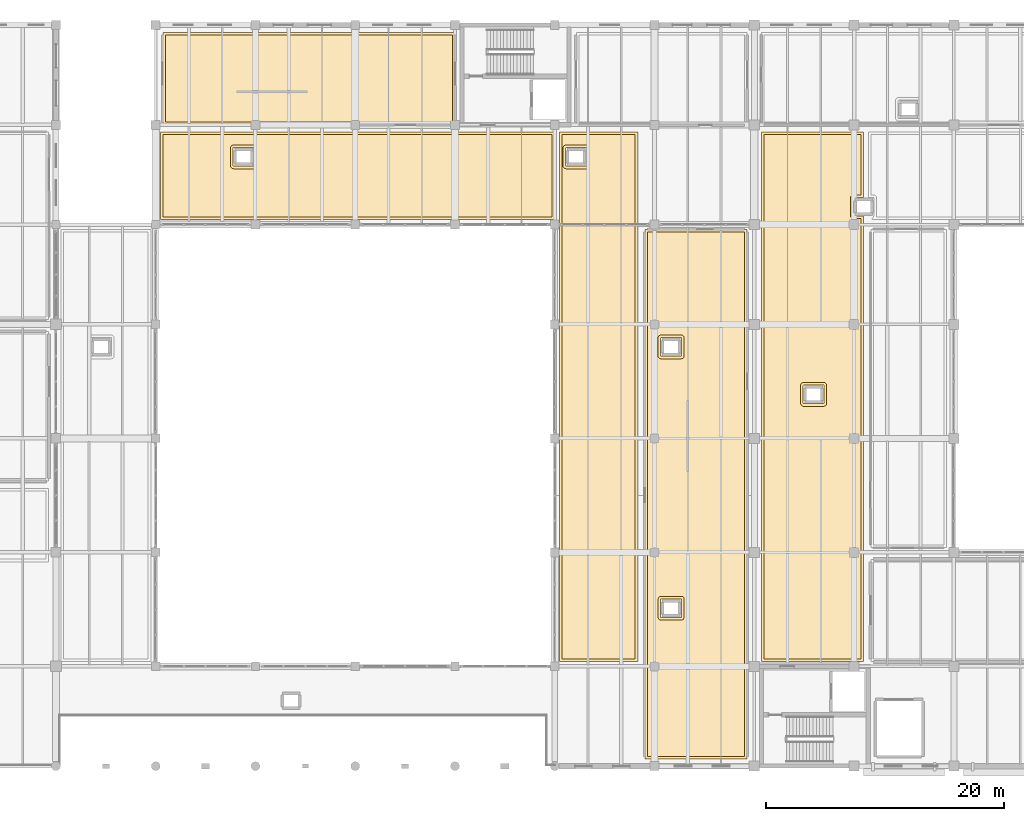
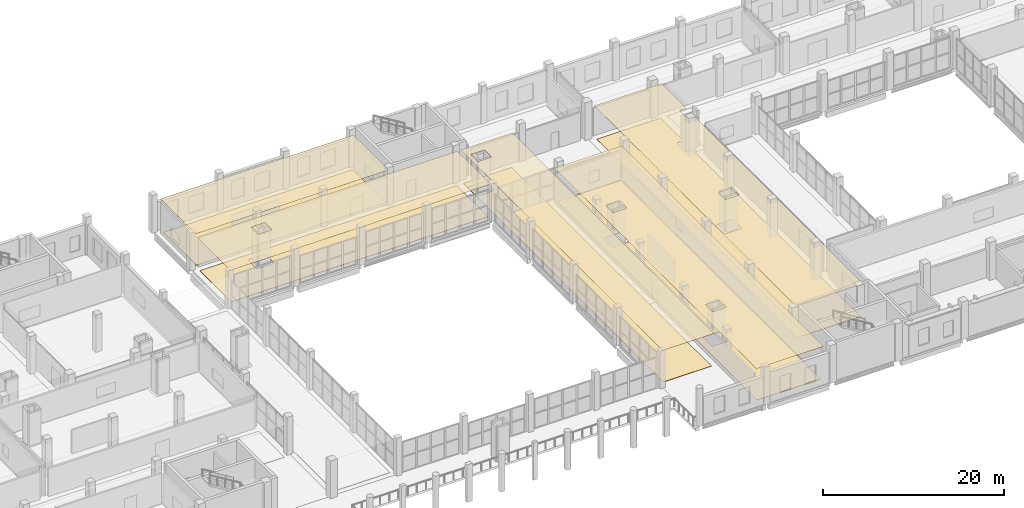
# One storey, part 63 of 66: 10 coverings.
"""IFC4 building model written with IfcOpenShell, lengths in metres."""

import ifcopenshell
import ifcopenshell.guid

model = None  # the IFC model being written
_history = None  # IfcOwnerHistory: only IFC2X3 demands one
_inside = {}  # id of a spatial element -> (the spatial element, [elements in it])
_under = {}  # id of a project, library or spatial element -> (it, [spatial elements below it])
_declared = {}  # id of a project -> (the project, [libraries it declares])
_typed = {}  # id of a type object -> (the type object, [elements of that type])
_made_of = {}  # id of a material, layer set ... -> (it, [elements and type objects made of it])


def new_model(schema):
    """Start an empty IFC model of exactly this schema.

    Asked for "IFC4X3", IfcOpenShell would pick the latest addendum, in which some entities
    have other attributes; the version numbers below select the first issue.
    IFC2X3 requires an IfcOwnerHistory on every rooted entity: one is made here for all.
    """
    global model, _history
    if schema == "IFC4X3":
        model = ifcopenshell.file(schema_version=(4, 3, 0, 0))
    else:
        model = ifcopenshell.file(schema=schema)
    _inside.clear()
    _under.clear()
    _declared.clear()
    _typed.clear()
    _made_of.clear()
    _history = None
    if model.schema == "IFC2X3":
        org = make("IfcOrganization", Name="unknown")
        user = make(
            "IfcPersonAndOrganization",
            ThePerson=make("IfcPerson", FamilyName="unknown"),
            TheOrganization=org,
        )
        app = make(
            "IfcApplication",
            ApplicationDeveloper=org,
            Version="unknown",
            ApplicationFullName="unknown",
            ApplicationIdentifier="unknown",
        )
        _history = make(
            "IfcOwnerHistory",
            OwningUser=user,
            OwningApplication=app,
            ChangeAction="ADDED",
            CreationDate=0,
        )
    return model


def make(cls, **values):
    """One entity of the class cls with the attributes given. An attribute that is None is left unset."""
    return model.create_entity(
        cls, **{name: value for name, value in values.items() if value is not None}
    )


def rooted(cls, **values):
    """An entity with a GlobalId (a new one), such as an element, a storey or a relation."""
    return make(cls, GlobalId=ifcopenshell.guid.new(), OwnerHistory=_history, **values)


def si_unit(unit_type, name, prefix=None):
    """IfcSIUnit, for example si_unit("LENGTHUNIT", "METRE", prefix="MILLI")."""
    return make("IfcSIUnit", UnitType=unit_type, Prefix=prefix, Name=name)


def assignment(units):
    """IfcUnitAssignment: the units of a project."""
    return None if units is None else make("IfcUnitAssignment", Units=units)


def point(xyz):
    """IfcCartesianPoint."""
    return None if xyz is None else make("IfcCartesianPoint", Coordinates=xyz)


def direction(xyz):
    """IfcDirection."""
    return None if xyz is None else make("IfcDirection", DirectionRatios=xyz)


def frame(location, z_axis=None, x_axis=None):
    """IfcAxis2Placement3D, a coordinate frame: its origin and axes. An axis left out is left unset."""
    return make(
        "IfcAxis2Placement3D",
        Location=point(location),
        Axis=direction(z_axis),
        RefDirection=direction(x_axis),
    )


def origin():
    """The frame at (0, 0, 0) with its axes left unset."""
    return frame((0.0, 0.0, 0.0))


def place(relative_to, where):
    """IfcLocalPlacement: puts the frame where relative to a parent placement (None: the world)."""
    return make(
        "IfcLocalPlacement", PlacementRelTo=relative_to, RelativePlacement=where
    )


def context(
    kind, dimensions, precision=None, world=None, true_north=None, identifier=None
):
    """IfcGeometricRepresentationContext, for example the 3D "Model" context."""
    return make(
        "IfcGeometricRepresentationContext",
        ContextIdentifier=identifier,
        ContextType=kind,
        CoordinateSpaceDimension=dimensions,
        Precision=precision,
        WorldCoordinateSystem=world,
        TrueNorth=true_north,
    )


def subcontext(parent, identifier, kind, view, scale=None):
    """IfcGeometricRepresentationSubContext, for example "Body" below "Model"."""
    return make(
        "IfcGeometricRepresentationSubContext",
        ContextIdentifier=identifier,
        ContextType=kind,
        ParentContext=parent,
        TargetScale=scale,
        TargetView=view,
    )


def project(units=None, contexts=None):
    """IfcProject with its units and contexts."""
    return rooted(
        "IfcProject",
        Name="project",
        RepresentationContexts=contexts,
        UnitsInContext=assignment(units),
    )


def spatial(cls, under=None, at=None, **own):
    """A site, building, storey or space (cls), placed at a placement, below another one or the project."""
    s = rooted(cls, ObjectPlacement=at, **own)
    if under is not None:
        _under.setdefault(under.id(), (under, []))[1].append(s)
    return s


def polyline(points):
    """IfcPolyline through the points."""
    return make("IfcPolyline", Points=[point(p) for p in points])


def outline(outer, holes=None, kind="AREA"):
    """IfcArbitraryClosedProfileDef: a profile drawn as a closed curve; with holes, ...WithVoids."""
    if holes is None:
        return make("IfcArbitraryClosedProfileDef", ProfileType=kind, OuterCurve=outer)
    return make(
        "IfcArbitraryProfileDefWithVoids",
        ProfileType=kind,
        OuterCurve=outer,
        InnerCurves=holes,
    )


def extrude(swept, where, along, depth):
    """IfcExtrudedAreaSolid: the profile swept, set in the frame where, extruded along a direction by depth."""
    return make(
        "IfcExtrudedAreaSolid",
        SweptArea=swept,
        Position=where,
        ExtrudedDirection=direction(along),
        Depth=depth,
    )


def shape(context_of_items, identifier, shape_type, items):
    """IfcShapeRepresentation: the items that make up one representation, for example the "Body"."""
    return make(
        "IfcShapeRepresentation",
        ContextOfItems=context_of_items,
        RepresentationIdentifier=identifier,
        RepresentationType=shape_type,
        Items=items,
    )


def material(Name=None, Category=None):
    """IfcMaterial."""
    return make("IfcMaterial", Name=Name, Category=Category)


def layer(
    of_material, thickness, ventilated=None, Name=None, Category=None, Priority=None
):
    """IfcMaterialLayer: one layer of a wall or slab, of a material (None: an air gap)."""
    return make(
        "IfcMaterialLayer",
        Material=of_material,
        LayerThickness=thickness,
        IsVentilated=ventilated,
        Name=Name,
        Category=Category,
        Priority=Priority,
    )


def layer_set(layers, Name=None):
    """IfcMaterialLayerSet."""
    return make("IfcMaterialLayerSet", MaterialLayers=layers, LayerSetName=Name)


def made_of(thing, what):
    """Note that an element or type object is made of a material, layer set ...; save() writes the relation."""
    if what is not None:
        _made_of.setdefault(what.id(), (what, []))[1].append(thing)
    return thing


def type_object(cls, material=None, **own):
    """A type object (cls), such as IfcWallType, which elements share."""
    return made_of(rooted(cls, **own), material)


def element(
    cls,
    number,
    at=None,
    inside=None,
    cuts=None,
    type_object=None,
    material=None,
    context=None,
    identifier="Body",
    shape_type=None,
    held_by="IfcProductDefinitionShape",
    body=None,
    shapes=None,
    **own,
):
    """One element of the class cls, such as IfcWall. Its Tag is "e" and its number.

    at: its placement. inside: the storey or other place that contains it. cuts: it is an
    opening in that element (IfcRelVoidsElement). A single representation is given by context,
    identifier, shape_type and body (its items); several are given by shapes. held_by: the class
    of the entity that holds the representations. save() writes the other relations.
    """
    e = rooted(cls, Tag="e%d" % number, ObjectPlacement=at, **own)
    if body is not None:
        shapes = [shape(context, identifier, shape_type, body)]
    if shapes is not None:
        e.Representation = make(held_by, Representations=shapes)
    if inside is not None:
        _inside.setdefault(inside.id(), (inside, []))[1].append(e)
    if cuts is not None:
        rooted(
            "IfcRelVoidsElement", RelatingBuildingElement=cuts, RelatedOpeningElement=e
        )
    if type_object is not None:
        _typed.setdefault(type_object.id(), (type_object, []))[1].append(e)
    return made_of(e, material)


def aggregate(whole, parts):
    """IfcRelAggregates: a whole, such as a stair, and the parts it consists of."""
    return rooted("IfcRelAggregates", RelatingObject=whole, RelatedObjects=parts)


def save(model, path):
    """Write the relations noted so far, then the file.

    IfcRelAggregates (storeys below a building ...), IfcRelContainedInSpatialStructure (elements
    in a storey), IfcRelDefinesByType, IfcRelAssociatesMaterial and IfcRelDeclares: one each for
    every whole, place, type object, material and project.
    """
    for whole, parts in _under.values():
        aggregate(whole, parts)
    for where, things in _inside.values():
        rooted(
            "IfcRelContainedInSpatialStructure",
            RelatedElements=things,
            RelatingStructure=where,
        )
    for kind, things in _typed.values():
        rooted("IfcRelDefinesByType", RelatedObjects=things, RelatingType=kind)
    for what, things in _made_of.values():
        rooted("IfcRelAssociatesMaterial", RelatedObjects=things, RelatingMaterial=what)
    for by, libraries in _declared.values():
        rooted("IfcRelDeclares", RelatingContext=by, RelatedDefinitions=libraries)
    model.write(path)


model = new_model("IFC4")

# Units and contexts
model_context = context("Model", 3, precision=1e-05, world=origin(), true_north=direction((0.0, 1.0)))
body_context = subcontext(model_context, "Body", "Model", "MODEL_VIEW")
ifc_project = project(units=[si_unit("LENGTHUNIT", "METRE"), si_unit("AREAUNIT", "SQUARE_METRE"), si_unit("VOLUMEUNIT", "CUBIC_METRE"), si_unit("PLANEANGLEUNIT", "RADIAN"), si_unit("MASSUNIT", "GRAM", prefix="KILO")], contexts=[model_context])

# Site, building, storey
site_placement = place(None, origin())
site = spatial("IfcSite", under=ifc_project, at=site_placement, CompositionType="ELEMENT")
building_placement = place(site_placement, origin())
building = spatial("IfcBuilding", under=site, at=building_placement, Name="Zulmaris Art Gallery", CompositionType="ELEMENT")
storey_placement = place(building_placement, frame((0.0, 0.0, 5.39990234375)))
storey = spatial("IfcBuildingStorey", under=building, at=storey_placement, Name="L01", CompositionType="ELEMENT", Elevation=5.39990234375)

# Coverings
ifc_material_1 = material(Name="Micro-Perforated Gypsum Acoustic Ceiling", Category="gypsum")
ifc_layer_1 = layer(ifc_material_1, 0.02490234375)
ifc_layer_set_1 = layer_set([ifc_layer_1], Name="Micro-Perforated Gypsum Acoustic Ceiling")
covering_type_1 = type_object("IfcCoveringType", Name="COV-CL01", PredefinedType="CEILING", material=ifc_layer_set_1)
covering_1_placement = place(storey_placement, frame((0.0, 0.0, 4.4501953125)))
element("IfcCovering", 1, at=covering_1_placement, inside=storey, type_object=covering_type_1, Name="L01 V4 North Concourse acoustic ceiling", PredefinedType="CEILING", context=body_context, shape_type="SweptSolid", body=[
    extrude(outline(polyline([(91.610107421875, 66.590087890625), (124.7900390625, 66.590087890625), (124.7900390625, 59.2099609375), (91.610107421875, 59.2099609375), (91.610107421875, 66.590087890625)]), holes=[polyline([(97.741455078125, 65.278564453125), (97.738525390625, 65.277587890625), (97.736083984375, 65.276123046875), (97.7333984375, 65.274658203125), (97.731201171875, 65.27294921875), (97.72900390625, 65.27099609375), (97.72705078125, 65.268798828125), (97.725341796875, 65.2666015625), (97.723876953125, 65.263916015625), (97.722412109375, 65.261474609375), (97.721435546875, 65.258544921875), (97.720703125, 65.255859375), (97.720458984375, 65.2529296875), (97.719970703125, 65.24462890625), (97.719970703125, 63.75537109375), (97.720458984375, 63.7470703125), (97.720703125, 63.744140625), (97.721435546875, 63.741455078125), (97.722412109375, 63.738525390625), (97.723876953125, 63.736083984375), (97.725341796875, 63.7333984375), (97.72705078125, 63.731201171875), (97.72900390625, 63.72900390625), (97.731201171875, 63.72705078125), (97.7333984375, 63.725341796875), (97.736083984375, 63.723876953125), (97.738525390625, 63.722412109375), (97.741455078125, 63.721435546875), (97.744140625, 63.720703125), (97.7470703125, 63.720458984375), (97.75537109375, 63.719970703125), (99.444580078125, 63.719970703125), (99.452880859375, 63.720458984375), (99.455810546875, 63.720703125), (99.45849609375, 63.721435546875), (99.46142578125, 63.722412109375), (99.464111328125, 63.723876953125), (99.466552734375, 63.725341796875), (99.468994140625, 63.72705078125), (99.470947265625, 63.72900390625), (99.472900390625, 63.731201171875), (99.474609375, 63.7333984375), (99.476318359375, 63.736083984375), (99.4775390625, 63.738525390625), (99.478515625, 63.741455078125), (99.479248046875, 63.744140625), (99.4794921875, 63.7470703125), (99.47998046875, 63.75537109375), (99.47998046875, 65.24462890625), (99.4794921875, 65.2529296875), (99.479248046875, 65.255859375), (99.478515625, 65.258544921875), (99.4775390625, 65.261474609375), (99.476318359375, 65.263916015625), (99.474609375, 65.2666015625), (99.472900390625, 65.268798828125), (99.470947265625, 65.27099609375), (99.468994140625, 65.27294921875), (99.466552734375, 65.274658203125), (99.464111328125, 65.276123046875), (99.46142578125, 65.277587890625), (99.45849609375, 65.278564453125), (99.455810546875, 65.279296875), (99.452880859375, 65.279541015625), (99.444580078125, 65.280029296875), (97.75537109375, 65.280029296875), (97.7470703125, 65.279541015625), (97.744140625, 65.279296875), (97.741455078125, 65.278564453125)])]), origin(), (0.0, 0.0, 1.0), 0.02978515625),
])
covering_2_placement = place(storey_placement, frame((0.0, 0.0, 4.4501953125)))
element("IfcCovering", 2, at=covering_2_placement, inside=storey, type_object=covering_type_1, Name="L01 East Gallery Concourse acoustic ceiling", PredefinedType="CEILING", context=body_context, shape_type="SweptSolid", body=[
    extrude(outline(polyline([(125.2099609375, 66.590087890625), (131.7900390625, 66.590087890625), (131.7900390625, 22.010009765625), (125.2099609375, 22.010009765625), (125.2099609375, 66.590087890625)]), holes=[polyline([(125.741455078125, 65.278564453125), (125.738525390625, 65.277587890625), (125.736083984375, 65.276123046875), (125.7333984375, 65.274658203125), (125.731201171875, 65.27294921875), (125.72900390625, 65.27099609375), (125.72705078125, 65.268798828125), (125.725341796875, 65.2666015625), (125.723876953125, 65.263916015625), (125.722412109375, 65.261474609375), (125.721435546875, 65.258544921875), (125.720703125, 65.255859375), (125.720458984375, 65.2529296875), (125.719970703125, 65.24462890625), (125.719970703125, 63.75537109375), (125.720458984375, 63.7470703125), (125.720703125, 63.744140625), (125.721435546875, 63.741455078125), (125.722412109375, 63.738525390625), (125.723876953125, 63.736083984375), (125.725341796875, 63.7333984375), (125.72705078125, 63.731201171875), (125.72900390625, 63.72900390625), (125.731201171875, 63.72705078125), (125.7333984375, 63.725341796875), (125.736083984375, 63.723876953125), (125.738525390625, 63.722412109375), (125.741455078125, 63.721435546875), (125.744140625, 63.720703125), (125.7470703125, 63.720458984375), (125.75537109375, 63.719970703125), (127.444580078125, 63.719970703125), (127.452880859375, 63.720458984375), (127.455810546875, 63.720703125), (127.45849609375, 63.721435546875), (127.46142578125, 63.722412109375), (127.464111328125, 63.723876953125), (127.466552734375, 63.725341796875), (127.468994140625, 63.72705078125), (127.470947265625, 63.72900390625), (127.472900390625, 63.731201171875), (127.474609375, 63.7333984375), (127.476318359375, 63.736083984375), (127.4775390625, 63.738525390625), (127.478515625, 63.741455078125), (127.479248046875, 63.744140625), (127.4794921875, 63.7470703125), (127.47998046875, 63.75537109375), (127.47998046875, 65.24462890625), (127.4794921875, 65.2529296875), (127.479248046875, 65.255859375), (127.478515625, 65.258544921875), (127.4775390625, 65.261474609375), (127.476318359375, 65.263916015625), (127.474609375, 65.2666015625), (127.472900390625, 65.268798828125), (127.470947265625, 65.27099609375), (127.468994140625, 65.27294921875), (127.466552734375, 65.274658203125), (127.464111328125, 65.276123046875), (127.46142578125, 65.277587890625), (127.45849609375, 65.278564453125), (127.455810546875, 65.279296875), (127.452880859375, 65.279541015625), (127.444580078125, 65.280029296875), (125.75537109375, 65.280029296875), (125.7470703125, 65.279541015625), (125.744140625, 65.279296875), (125.741455078125, 65.278564453125)])]), origin(), (0.0, 0.0, 1.0), 0.02978515625),
])
covering_3_placement = place(storey_placement, frame((0.0, 0.0, 4.4501953125)))
element("IfcCovering", 3, at=covering_3_placement, inside=storey, type_object=covering_type_1, Name="L01 V5 West Art Store Corridor acoustic ceiling", PredefinedType="CEILING", context=body_context, shape_type="SweptSolid", body=[
    extrude(outline(polyline([(149.955322265625, 61.080078125), (149.947021484375, 61.07958984375), (149.944091796875, 61.0791015625), (149.94140625, 61.07861328125), (149.938720703125, 61.077392578125), (149.93603515625, 61.076171875), (149.93359375, 61.07470703125), (149.93115234375, 61.072998046875), (149.928955078125, 61.071044921875), (149.927001953125, 61.06884765625), (149.92529296875, 61.06640625), (149.923828125, 61.06396484375), (149.922607421875, 61.061279296875), (149.92138671875, 61.05859375), (149.9208984375, 61.055908203125), (149.92041015625, 61.052978515625), (149.919921875, 61.044677734375), (149.919921875, 59.555419921875), (149.92041015625, 59.547119140625), (149.9208984375, 59.544189453125), (149.92138671875, 59.54150390625), (149.922607421875, 59.53857421875), (149.923828125, 59.535888671875), (149.92529296875, 59.533447265625), (149.927001953125, 59.531005859375), (149.928955078125, 59.529052734375), (149.93115234375, 59.527099609375), (149.93359375, 59.525390625), (149.93603515625, 59.523681640625), (149.938720703125, 59.5224609375), (149.94140625, 59.521484375), (149.944091796875, 59.520751953125), (149.947021484375, 59.5205078125), (149.955322265625, 59.52001953125), (150.7900390625, 59.52001953125), (150.7900390625, 22.010009765625), (142.2099609375, 22.010009765625), (142.2099609375, 66.590087890625), (150.7900390625, 66.590087890625), (150.7900390625, 61.080078125), (149.955322265625, 61.080078125)]), holes=[polyline([(145.741455078125, 45.278564453125), (145.738525390625, 45.277587890625), (145.736083984375, 45.276123046875), (145.7333984375, 45.274658203125), (145.731201171875, 45.27294921875), (145.72900390625, 45.27099609375), (145.72705078125, 45.268798828125), (145.725341796875, 45.2666015625), (145.723876953125, 45.263916015625), (145.722412109375, 45.261474609375), (145.721435546875, 45.258544921875), (145.720703125, 45.255859375), (145.720458984375, 45.2529296875), (145.719970703125, 45.24462890625), (145.719970703125, 43.75537109375), (145.720458984375, 43.7470703125), (145.720703125, 43.744140625), (145.721435546875, 43.741455078125), (145.722412109375, 43.738525390625), (145.723876953125, 43.736083984375), (145.725341796875, 43.7333984375), (145.72705078125, 43.731201171875), (145.72900390625, 43.72900390625), (145.731201171875, 43.72705078125), (145.7333984375, 43.725341796875), (145.736083984375, 43.723876953125), (145.738525390625, 43.722412109375), (145.741455078125, 43.721435546875), (145.744140625, 43.720703125), (145.7470703125, 43.720458984375), (145.75537109375, 43.719970703125), (147.444580078125, 43.719970703125), (147.452880859375, 43.720458984375), (147.455810546875, 43.720703125), (147.45849609375, 43.721435546875), (147.46142578125, 43.722412109375), (147.464111328125, 43.723876953125), (147.466552734375, 43.725341796875), (147.468994140625, 43.72705078125), (147.470947265625, 43.72900390625), (147.472900390625, 43.731201171875), (147.474609375, 43.7333984375), (147.476318359375, 43.736083984375), (147.4775390625, 43.738525390625), (147.478515625, 43.741455078125), (147.479248046875, 43.744140625), (147.4794921875, 43.7470703125), (147.47998046875, 43.75537109375), (147.47998046875, 45.24462890625), (147.4794921875, 45.2529296875), (147.479248046875, 45.255859375), (147.478515625, 45.258544921875), (147.4775390625, 45.261474609375), (147.476318359375, 45.263916015625), (147.474609375, 45.2666015625), (147.472900390625, 45.268798828125), (147.470947265625, 45.27099609375), (147.468994140625, 45.27294921875), (147.466552734375, 45.274658203125), (147.464111328125, 45.276123046875), (147.46142578125, 45.277587890625), (147.45849609375, 45.278564453125), (147.455810546875, 45.279296875), (147.452880859375, 45.279541015625), (147.444580078125, 45.280029296875), (145.75537109375, 45.280029296875), (145.7470703125, 45.279541015625), (145.744140625, 45.279296875), (145.741455078125, 45.278564453125)])]), origin(), (0.0, 0.0, 1.0), 0.02978515625),
])
ifc_material_2 = material(Name="Luminous UV-Diffusing Stretched Gallery Ceiling", Category="gypsum")
ifc_layer_2 = layer(ifc_material_2, 0.034912109375)
ifc_layer_set_2 = layer_set([ifc_layer_2], Name="Luminous UV-Diffusing Stretched Gallery Ceiling")
covering_type_2 = type_object("IfcCoveringType", Name="COV-CL02", PredefinedType="CEILING", material=ifc_layer_set_2)
covering_4_placement = place(storey_placement, frame((0.0, 0.0, 4.4501953125)))
element("IfcCovering", 4, at=covering_4_placement, inside=storey, type_object=covering_type_2, Name="20th-Century Ceramics & Glass Gallery acoustic ceiling", PredefinedType="CEILING", context=body_context, shape_type="SweptSolid", body=[
    extrude(outline(polyline([(91.81005859375, 74.989990234375), (116.389892578125, 74.989990234375), (116.389892578125, 67.2099609375), (91.81005859375, 67.2099609375), (91.81005859375, 74.989990234375)])), origin(), (0.0, 0.0, 1.0), 0.02978515625),
])
covering_5_placement = place(storey_placement, frame((0.0, 0.0, 4.4501953125)))
element("IfcCovering", 5, at=covering_5_placement, inside=storey, type_object=covering_type_2, Name="Indian Ocean Trade Exchange Gallery acoustic ceiling", PredefinedType="CEILING", context=body_context, shape_type="SweptSolid", body=[
    extrude(outline(polyline([(132.409912109375, 58.389892578125), (140.989990234375, 58.389892578125), (140.989990234375, 13.81005859375), (132.409912109375, 13.81005859375), (132.409912109375, 58.389892578125)]), holes=[polyline([(133.721435546875, 25.741455078125), (133.722412109375, 25.738525390625), (133.723876953125, 25.736083984375), (133.725341796875, 25.7333984375), (133.72705078125, 25.731201171875), (133.72900390625, 25.72900390625), (133.731201171875, 25.72705078125), (133.7333984375, 25.725341796875), (133.736083984375, 25.723876953125), (133.738525390625, 25.722412109375), (133.741455078125, 25.721435546875), (133.744140625, 25.720703125), (133.7470703125, 25.720458984375), (133.75537109375, 25.719970703125), (135.444580078125, 25.719970703125), (135.452880859375, 25.720458984375), (135.455810546875, 25.720703125), (135.45849609375, 25.721435546875), (135.46142578125, 25.722412109375), (135.464111328125, 25.723876953125), (135.466552734375, 25.725341796875), (135.468994140625, 25.72705078125), (135.470947265625, 25.72900390625), (135.472900390625, 25.731201171875), (135.474609375, 25.7333984375), (135.476318359375, 25.736083984375), (135.4775390625, 25.738525390625), (135.478515625, 25.741455078125), (135.479248046875, 25.744140625), (135.4794921875, 25.7470703125), (135.47998046875, 25.75537109375), (135.47998046875, 27.24462890625), (135.4794921875, 27.2529296875), (135.479248046875, 27.255859375), (135.478515625, 27.258544921875), (135.4775390625, 27.261474609375), (135.476318359375, 27.263916015625), (135.474609375, 27.2666015625), (135.472900390625, 27.268798828125), (135.470947265625, 27.27099609375), (135.468994140625, 27.27294921875), (135.466552734375, 27.274658203125), (135.464111328125, 27.276123046875), (135.46142578125, 27.277587890625), (135.45849609375, 27.278564453125), (135.455810546875, 27.279296875), (135.452880859375, 27.279541015625), (135.444580078125, 27.280029296875), (133.75537109375, 27.280029296875), (133.7470703125, 27.279541015625), (133.744140625, 27.279296875), (133.741455078125, 27.278564453125), (133.738525390625, 27.277587890625), (133.736083984375, 27.276123046875), (133.7333984375, 27.274658203125), (133.731201171875, 27.27294921875), (133.72900390625, 27.27099609375), (133.72705078125, 27.268798828125), (133.725341796875, 27.2666015625), (133.723876953125, 27.263916015625), (133.722412109375, 27.261474609375), (133.721435546875, 27.258544921875), (133.720703125, 27.255859375), (133.720458984375, 27.2529296875), (133.719970703125, 27.24462890625), (133.719970703125, 25.75537109375), (133.720458984375, 25.7470703125), (133.720703125, 25.744140625), (133.721435546875, 25.741455078125)]), polyline([(133.721435546875, 47.741455078125), (133.722412109375, 47.738525390625), (133.723876953125, 47.736083984375), (133.725341796875, 47.7333984375), (133.72705078125, 47.731201171875), (133.72900390625, 47.72900390625), (133.731201171875, 47.72705078125), (133.7333984375, 47.725341796875), (133.736083984375, 47.723876953125), (133.738525390625, 47.722412109375), (133.741455078125, 47.721435546875), (133.744140625, 47.720703125), (133.7470703125, 47.720458984375), (133.75537109375, 47.719970703125), (135.444580078125, 47.719970703125), (135.452880859375, 47.720458984375), (135.455810546875, 47.720703125), (135.45849609375, 47.721435546875), (135.46142578125, 47.722412109375), (135.464111328125, 47.723876953125), (135.466552734375, 47.725341796875), (135.468994140625, 47.72705078125), (135.470947265625, 47.72900390625), (135.472900390625, 47.731201171875), (135.474609375, 47.7333984375), (135.476318359375, 47.736083984375), (135.4775390625, 47.738525390625), (135.478515625, 47.741455078125), (135.479248046875, 47.744140625), (135.4794921875, 47.7470703125), (135.47998046875, 47.75537109375), (135.47998046875, 49.24462890625), (135.4794921875, 49.2529296875), (135.479248046875, 49.255859375), (135.478515625, 49.258544921875), (135.4775390625, 49.261474609375), (135.476318359375, 49.263916015625), (135.474609375, 49.2666015625), (135.472900390625, 49.268798828125), (135.470947265625, 49.27099609375), (135.468994140625, 49.27294921875), (135.466552734375, 49.274658203125), (135.464111328125, 49.276123046875), (135.46142578125, 49.277587890625), (135.45849609375, 49.278564453125), (135.455810546875, 49.279296875), (135.452880859375, 49.279541015625), (135.444580078125, 49.280029296875), (133.75537109375, 49.280029296875), (133.7470703125, 49.279541015625), (133.744140625, 49.279296875), (133.741455078125, 49.278564453125), (133.738525390625, 49.277587890625), (133.736083984375, 49.276123046875), (133.7333984375, 49.274658203125), (133.731201171875, 49.27294921875), (133.72900390625, 49.27099609375), (133.72705078125, 49.268798828125), (133.725341796875, 49.2666015625), (133.723876953125, 49.263916015625), (133.722412109375, 49.261474609375), (133.721435546875, 49.258544921875), (133.720703125, 49.255859375), (133.720458984375, 49.2529296875), (133.719970703125, 49.24462890625), (133.719970703125, 47.75537109375), (133.720458984375, 47.7470703125), (133.720703125, 47.744140625), (133.721435546875, 47.741455078125)])]), origin(), (0.0, 0.0, 1.0), 0.02978515625),
])
ifc_material_3 = material(Name="Honed Omani Limestone Terrazzo Flooring", Category="masonry")
ifc_layer_3 = layer(ifc_material_3, 0.0400390625)
ifc_layer_set_3 = layer_set([ifc_layer_3], Name="Honed Omani Limestone Terrazzo Flooring")
covering_type_3 = type_object("IfcCoveringType", Name="COV-FL01", PredefinedType="FLOORING", material=ifc_layer_set_3)
covering_6_placement = place(storey_placement, origin())
element("IfcCovering", 6, at=covering_6_placement, inside=storey, type_object=covering_type_3, Name="L01 V4 North Concourse finish flooring", PredefinedType="FLOORING", context=body_context, shape_type="SweptSolid", body=[
    extrude(outline(polyline([(124.570068359375, 59.429931640625), (91.830078125, 59.429931640625), (91.830078125, 66.3701171875), (124.570068359375, 66.3701171875), (124.570068359375, 59.429931640625)]), holes=[polyline([(97.7255859375, 65.498779296875), (97.701171875, 65.4951171875), (97.677490234375, 65.4892578125), (97.654296875, 65.48095703125), (97.632080078125, 65.470458984375), (97.611083984375, 65.4580078125), (97.59130859375, 65.443359375), (97.5732421875, 65.4267578125), (97.556640625, 65.40869140625), (97.5419921875, 65.388916015625), (97.529541015625, 65.367919921875), (97.51904296875, 65.345703125), (97.5107421875, 65.322509765625), (97.5048828125, 65.298828125), (97.501220703125, 65.2744140625), (97.5, 65.25), (97.5, 63.75), (97.501220703125, 63.7255859375), (97.5048828125, 63.701171875), (97.5107421875, 63.677490234375), (97.51904296875, 63.654296875), (97.529541015625, 63.632080078125), (97.5419921875, 63.611083984375), (97.556640625, 63.59130859375), (97.5732421875, 63.5732421875), (97.59130859375, 63.556640625), (97.611083984375, 63.5419921875), (97.632080078125, 63.529541015625), (97.654296875, 63.51904296875), (97.677490234375, 63.5107421875), (97.701171875, 63.5048828125), (97.7255859375, 63.501220703125), (97.75, 63.5), (99.449951171875, 63.5), (99.474609375, 63.501220703125), (99.498779296875, 63.5048828125), (99.522705078125, 63.5107421875), (99.545654296875, 63.51904296875), (99.56787109375, 63.529541015625), (99.5888671875, 63.5419921875), (99.608642578125, 63.556640625), (99.626708984375, 63.5732421875), (99.643310546875, 63.59130859375), (99.657958984375, 63.611083984375), (99.67041015625, 63.632080078125), (99.680908203125, 63.654296875), (99.689208984375, 63.677490234375), (99.6953125, 63.701171875), (99.69873046875, 63.7255859375), (99.699951171875, 63.75), (99.699951171875, 65.25), (99.69873046875, 65.2744140625), (99.6953125, 65.298828125), (99.689208984375, 65.322509765625), (99.680908203125, 65.345703125), (99.67041015625, 65.367919921875), (99.657958984375, 65.388916015625), (99.643310546875, 65.40869140625), (99.626708984375, 65.4267578125), (99.608642578125, 65.443359375), (99.5888671875, 65.4580078125), (99.56787109375, 65.470458984375), (99.545654296875, 65.48095703125), (99.522705078125, 65.4892578125), (99.498779296875, 65.4951171875), (99.474609375, 65.498779296875), (99.449951171875, 65.5), (97.75, 65.5), (97.7255859375, 65.498779296875)])]), origin(), (0.0, 0.0, 1.0), 0.03515625),
])
covering_7_placement = place(storey_placement, origin())
element("IfcCovering", 7, at=covering_7_placement, inside=storey, type_object=covering_type_3, Name="L01 East Gallery Concourse finish flooring", PredefinedType="FLOORING", context=body_context, shape_type="SweptSolid", body=[
    extrude(outline(polyline([(131.570068359375, 22.22998046875), (125.429931640625, 22.22998046875), (125.429931640625, 66.3701171875), (131.570068359375, 66.3701171875), (131.570068359375, 22.22998046875)]), holes=[polyline([(125.7255859375, 65.498779296875), (125.701171875, 65.4951171875), (125.677490234375, 65.4892578125), (125.654296875, 65.48095703125), (125.632080078125, 65.470458984375), (125.611083984375, 65.4580078125), (125.59130859375, 65.443359375), (125.5732421875, 65.4267578125), (125.556640625, 65.40869140625), (125.5419921875, 65.388916015625), (125.529541015625, 65.367919921875), (125.51904296875, 65.345703125), (125.5107421875, 65.322509765625), (125.5048828125, 65.298828125), (125.501220703125, 65.2744140625), (125.5, 65.25), (125.5, 63.75), (125.501220703125, 63.7255859375), (125.5048828125, 63.701171875), (125.5107421875, 63.677490234375), (125.51904296875, 63.654296875), (125.529541015625, 63.632080078125), (125.5419921875, 63.611083984375), (125.556640625, 63.59130859375), (125.5732421875, 63.5732421875), (125.59130859375, 63.556640625), (125.611083984375, 63.5419921875), (125.632080078125, 63.529541015625), (125.654296875, 63.51904296875), (125.677490234375, 63.5107421875), (125.701171875, 63.5048828125), (125.7255859375, 63.501220703125), (125.75, 63.5), (127.449951171875, 63.5), (127.474609375, 63.501220703125), (127.498779296875, 63.5048828125), (127.522705078125, 63.5107421875), (127.545654296875, 63.51904296875), (127.56787109375, 63.529541015625), (127.5888671875, 63.5419921875), (127.608642578125, 63.556640625), (127.626708984375, 63.5732421875), (127.643310546875, 63.59130859375), (127.657958984375, 63.611083984375), (127.67041015625, 63.632080078125), (127.680908203125, 63.654296875), (127.689208984375, 63.677490234375), (127.6953125, 63.701171875), (127.69873046875, 63.7255859375), (127.699951171875, 63.75), (127.699951171875, 65.25), (127.69873046875, 65.2744140625), (127.6953125, 65.298828125), (127.689208984375, 65.322509765625), (127.680908203125, 65.345703125), (127.67041015625, 65.367919921875), (127.657958984375, 65.388916015625), (127.643310546875, 65.40869140625), (127.626708984375, 65.4267578125), (127.608642578125, 65.443359375), (127.5888671875, 65.4580078125), (127.56787109375, 65.470458984375), (127.545654296875, 65.48095703125), (127.522705078125, 65.4892578125), (127.498779296875, 65.4951171875), (127.474609375, 65.498779296875), (127.449951171875, 65.5), (125.75, 65.5), (125.7255859375, 65.498779296875)])]), origin(), (0.0, 0.0, 1.0), 0.03515625),
])
covering_8_placement = place(storey_placement, origin())
element("IfcCovering", 8, at=covering_8_placement, inside=storey, type_object=covering_type_3, Name="L01 V5 West Art Store Corridor finish flooring", PredefinedType="FLOORING", context=body_context, shape_type="SweptSolid", body=[
    extrude(outline(polyline([(150.570068359375, 66.3701171875), (150.570068359375, 61.300048828125), (149.949951171875, 61.300048828125), (149.925537109375, 61.298828125), (149.901123046875, 61.295166015625), (149.87744140625, 61.289306640625), (149.854248046875, 61.281005859375), (149.832275390625, 61.2705078125), (149.81103515625, 61.2578125), (149.79150390625, 61.243408203125), (149.773193359375, 61.226806640625), (149.756591796875, 61.20849609375), (149.7421875, 61.18896484375), (149.7294921875, 61.167724609375), (149.718994140625, 61.145751953125), (149.710693359375, 61.12255859375), (149.704833984375, 61.098876953125), (149.701171875, 61.074462890625), (149.699951171875, 61.050048828125), (149.699951171875, 59.550048828125), (149.701171875, 59.525390625), (149.704833984375, 59.501220703125), (149.710693359375, 59.477294921875), (149.718994140625, 59.454345703125), (149.7294921875, 59.43212890625), (149.7421875, 59.4111328125), (149.756591796875, 59.391357421875), (149.773193359375, 59.373291015625), (149.79150390625, 59.356689453125), (149.81103515625, 59.342041015625), (149.832275390625, 59.32958984375), (149.854248046875, 59.319091796875), (149.87744140625, 59.310791015625), (149.901123046875, 59.3046875), (149.925537109375, 59.30126953125), (149.949951171875, 59.300048828125), (150.570068359375, 59.300048828125), (150.570068359375, 22.22998046875), (142.429931640625, 22.22998046875), (142.429931640625, 66.3701171875), (150.570068359375, 66.3701171875)]), holes=[polyline([(145.7255859375, 45.498779296875), (145.701171875, 45.4951171875), (145.677490234375, 45.4892578125), (145.654296875, 45.48095703125), (145.632080078125, 45.470458984375), (145.611083984375, 45.4580078125), (145.59130859375, 45.443359375), (145.5732421875, 45.4267578125), (145.556640625, 45.40869140625), (145.5419921875, 45.388916015625), (145.529541015625, 45.367919921875), (145.51904296875, 45.345703125), (145.5107421875, 45.322509765625), (145.5048828125, 45.298828125), (145.501220703125, 45.2744140625), (145.5, 45.25), (145.5, 43.75), (145.501220703125, 43.7255859375), (145.5048828125, 43.701171875), (145.5107421875, 43.677490234375), (145.51904296875, 43.654296875), (145.529541015625, 43.632080078125), (145.5419921875, 43.611083984375), (145.556640625, 43.59130859375), (145.5732421875, 43.5732421875), (145.59130859375, 43.556640625), (145.611083984375, 43.5419921875), (145.632080078125, 43.529541015625), (145.654296875, 43.51904296875), (145.677490234375, 43.5107421875), (145.701171875, 43.5048828125), (145.7255859375, 43.501220703125), (145.75, 43.5), (147.449951171875, 43.5), (147.474609375, 43.501220703125), (147.498779296875, 43.5048828125), (147.522705078125, 43.5107421875), (147.545654296875, 43.51904296875), (147.56787109375, 43.529541015625), (147.5888671875, 43.5419921875), (147.608642578125, 43.556640625), (147.626708984375, 43.5732421875), (147.643310546875, 43.59130859375), (147.657958984375, 43.611083984375), (147.67041015625, 43.632080078125), (147.680908203125, 43.654296875), (147.689208984375, 43.677490234375), (147.6953125, 43.701171875), (147.69873046875, 43.7255859375), (147.699951171875, 43.75), (147.699951171875, 45.25), (147.69873046875, 45.2744140625), (147.6953125, 45.298828125), (147.689208984375, 45.322509765625), (147.680908203125, 45.345703125), (147.67041015625, 45.367919921875), (147.657958984375, 45.388916015625), (147.643310546875, 45.40869140625), (147.626708984375, 45.4267578125), (147.608642578125, 45.443359375), (147.5888671875, 45.4580078125), (147.56787109375, 45.470458984375), (147.545654296875, 45.48095703125), (147.522705078125, 45.4892578125), (147.498779296875, 45.4951171875), (147.474609375, 45.498779296875), (147.449951171875, 45.5), (145.75, 45.5), (145.7255859375, 45.498779296875)])]), origin(), (0.0, 0.0, 1.0), 0.03515625),
])
ifc_material_4 = material(Name="Oiled European Oak Gallery Parquet Flooring", Category="timber")
ifc_layer_4 = layer(ifc_material_4, 0.030029296875)
ifc_layer_set_4 = layer_set([ifc_layer_4], Name="Oiled European Oak Gallery Parquet Flooring")
covering_type_4 = type_object("IfcCoveringType", Name="COV-FL02", PredefinedType="FLOORING", material=ifc_layer_set_4)
covering_9_placement = place(storey_placement, origin())
element("IfcCovering", 9, at=covering_9_placement, inside=storey, type_object=covering_type_4, Name="20th-Century Ceramics & Glass Gallery finish flooring", PredefinedType="FLOORING", context=body_context, shape_type="SweptSolid", body=[
    extrude(outline(polyline([(116.169921875, 67.429931640625), (92.030029296875, 67.429931640625), (92.030029296875, 74.77001953125), (116.169921875, 74.77001953125), (116.169921875, 67.429931640625)])), origin(), (0.0, 0.0, 1.0), 0.03515625),
])
covering_10_placement = place(storey_placement, origin())
element("IfcCovering", 10, at=covering_10_placement, inside=storey, type_object=covering_type_4, Name="Indian Ocean Trade Exchange Gallery finish flooring", PredefinedType="FLOORING", context=body_context, shape_type="SweptSolid", body=[
    extrude(outline(polyline([(140.77001953125, 14.030029296875), (132.6298828125, 14.030029296875), (132.6298828125, 58.169921875), (140.77001953125, 58.169921875), (140.77001953125, 14.030029296875)]), holes=[polyline([(133.501220703125, 25.7255859375), (133.5048828125, 25.701171875), (133.5107421875, 25.677490234375), (133.51904296875, 25.654296875), (133.529541015625, 25.632080078125), (133.5419921875, 25.611083984375), (133.556640625, 25.59130859375), (133.5732421875, 25.5732421875), (133.59130859375, 25.556640625), (133.611083984375, 25.5419921875), (133.632080078125, 25.529541015625), (133.654296875, 25.51904296875), (133.677490234375, 25.5107421875), (133.701171875, 25.5048828125), (133.7255859375, 25.501220703125), (133.75, 25.5), (135.449951171875, 25.5), (135.474609375, 25.501220703125), (135.498779296875, 25.5048828125), (135.522705078125, 25.5107421875), (135.545654296875, 25.51904296875), (135.56787109375, 25.529541015625), (135.5888671875, 25.5419921875), (135.608642578125, 25.556640625), (135.626708984375, 25.5732421875), (135.643310546875, 25.59130859375), (135.657958984375, 25.611083984375), (135.67041015625, 25.632080078125), (135.680908203125, 25.654296875), (135.689208984375, 25.677490234375), (135.6953125, 25.701171875), (135.69873046875, 25.7255859375), (135.699951171875, 25.75), (135.699951171875, 27.25), (135.69873046875, 27.2744140625), (135.6953125, 27.298828125), (135.689208984375, 27.322509765625), (135.680908203125, 27.345703125), (135.67041015625, 27.367919921875), (135.657958984375, 27.388916015625), (135.643310546875, 27.40869140625), (135.626708984375, 27.4267578125), (135.608642578125, 27.443359375), (135.5888671875, 27.4580078125), (135.56787109375, 27.470458984375), (135.545654296875, 27.48095703125), (135.522705078125, 27.4892578125), (135.498779296875, 27.4951171875), (135.474609375, 27.498779296875), (135.449951171875, 27.5), (133.75, 27.5), (133.7255859375, 27.498779296875), (133.701171875, 27.4951171875), (133.677490234375, 27.4892578125), (133.654296875, 27.48095703125), (133.632080078125, 27.470458984375), (133.611083984375, 27.4580078125), (133.59130859375, 27.443359375), (133.5732421875, 27.4267578125), (133.556640625, 27.40869140625), (133.5419921875, 27.388916015625), (133.529541015625, 27.367919921875), (133.51904296875, 27.345703125), (133.5107421875, 27.322509765625), (133.5048828125, 27.298828125), (133.501220703125, 27.2744140625), (133.5, 27.25), (133.5, 25.75), (133.501220703125, 25.7255859375)]), polyline([(133.501220703125, 47.7255859375), (133.5048828125, 47.701171875), (133.5107421875, 47.677490234375), (133.51904296875, 47.654296875), (133.529541015625, 47.632080078125), (133.5419921875, 47.611083984375), (133.556640625, 47.59130859375), (133.5732421875, 47.5732421875), (133.59130859375, 47.556640625), (133.611083984375, 47.5419921875), (133.632080078125, 47.529541015625), (133.654296875, 47.51904296875), (133.677490234375, 47.5107421875), (133.701171875, 47.5048828125), (133.7255859375, 47.501220703125), (133.75, 47.5), (135.449951171875, 47.5), (135.474609375, 47.501220703125), (135.498779296875, 47.5048828125), (135.522705078125, 47.5107421875), (135.545654296875, 47.51904296875), (135.56787109375, 47.529541015625), (135.5888671875, 47.5419921875), (135.608642578125, 47.556640625), (135.626708984375, 47.5732421875), (135.643310546875, 47.59130859375), (135.657958984375, 47.611083984375), (135.67041015625, 47.632080078125), (135.680908203125, 47.654296875), (135.689208984375, 47.677490234375), (135.6953125, 47.701171875), (135.69873046875, 47.7255859375), (135.699951171875, 47.75), (135.699951171875, 49.25), (135.69873046875, 49.2744140625), (135.6953125, 49.298828125), (135.689208984375, 49.322509765625), (135.680908203125, 49.345703125), (135.67041015625, 49.367919921875), (135.657958984375, 49.388916015625), (135.643310546875, 49.40869140625), (135.626708984375, 49.4267578125), (135.608642578125, 49.443359375), (135.5888671875, 49.4580078125), (135.56787109375, 49.470458984375), (135.545654296875, 49.48095703125), (135.522705078125, 49.4892578125), (135.498779296875, 49.4951171875), (135.474609375, 49.498779296875), (135.449951171875, 49.5), (133.75, 49.5), (133.7255859375, 49.498779296875), (133.701171875, 49.4951171875), (133.677490234375, 49.4892578125), (133.654296875, 49.48095703125), (133.632080078125, 49.470458984375), (133.611083984375, 49.4580078125), (133.59130859375, 49.443359375), (133.5732421875, 49.4267578125), (133.556640625, 49.40869140625), (133.5419921875, 49.388916015625), (133.529541015625, 49.367919921875), (133.51904296875, 49.345703125), (133.5107421875, 49.322509765625), (133.5048828125, 49.298828125), (133.501220703125, 49.2744140625), (133.5, 49.25), (133.5, 47.75), (133.501220703125, 47.7255859375)])]), origin(), (0.0, 0.0, 1.0), 0.03515625),
])

save(model, "model.ifc")
